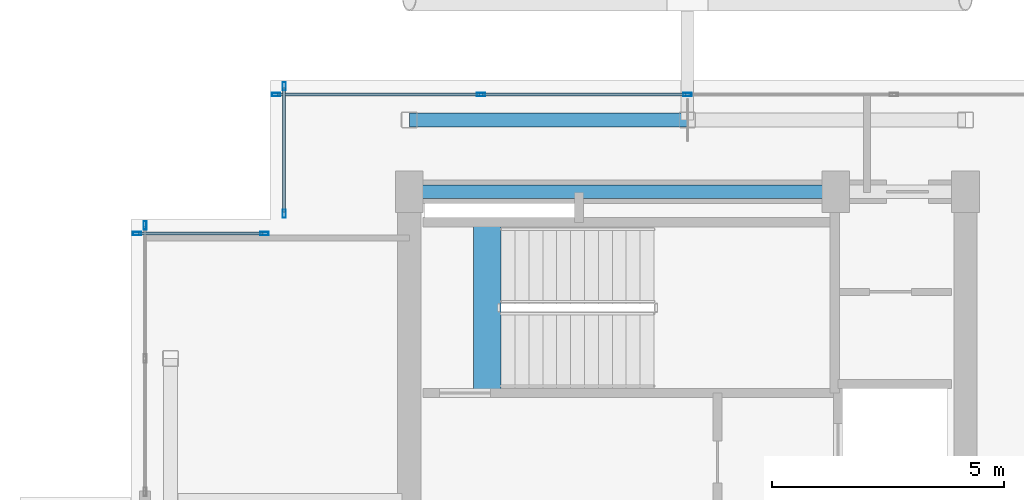
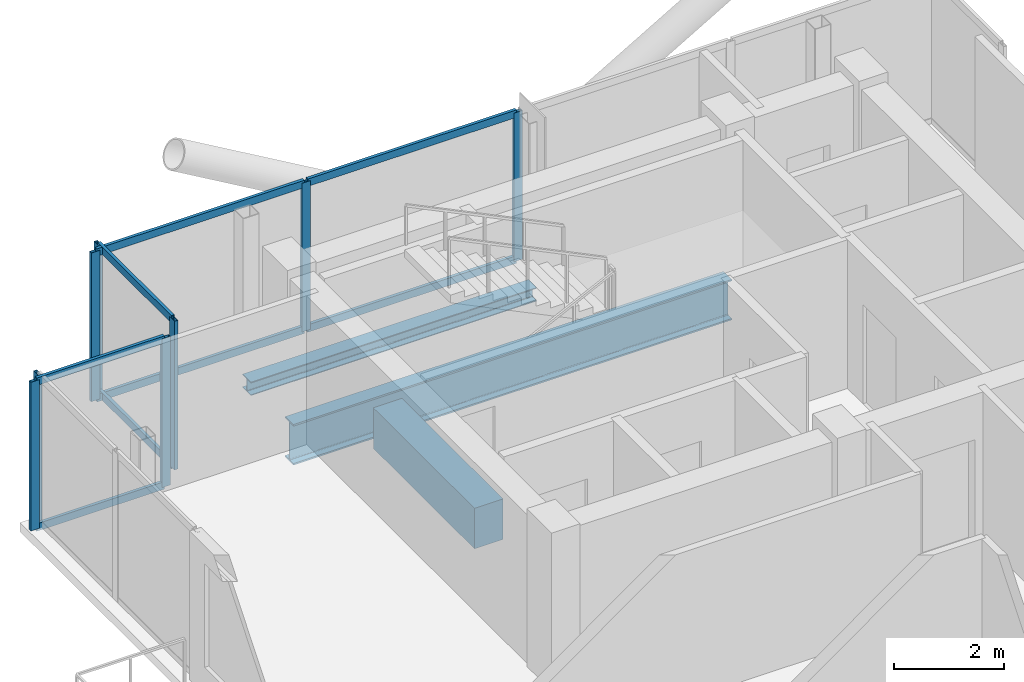
# One storey, part 8 of 18: 16 members, 3 beams, 4 elements without a shape of their own.
"""IFC4 building model written with IfcOpenShell, lengths in metres."""

from ifc_helpers import new_model, si_unit, direction, frame, origin, origin_2d, place, context, subcontext, project, spatial, rectangle, hollow_rectangle, i_section, extrude, material, layer, layer_set, material_profile, profile_set, type_object, element, aggregate, save


model = new_model("IFC4")

# Units and contexts
model_context = context("Model", 3, precision=1e-05, world=origin(), true_north=direction((0.0, 1.0)))
body_context = subcontext(model_context, "Body", "Model", "MODEL_VIEW")
ifc_project = project(units=[si_unit("LENGTHUNIT", "METRE"), si_unit("AREAUNIT", "SQUARE_METRE"), si_unit("VOLUMEUNIT", "CUBIC_METRE"), si_unit("PLANEANGLEUNIT", "RADIAN"), si_unit("MASSUNIT", "GRAM", prefix="KILO"), si_unit("THERMODYNAMICTEMPERATUREUNIT", "KELVIN"), si_unit("POWERUNIT", "WATT")], contexts=[model_context])

# Site, building, storey
site_placement = place(None, origin())
site = spatial("IfcSite", under=ifc_project, at=site_placement, CompositionType="ELEMENT")
building_placement = place(site_placement, origin())
building = spatial("IfcBuilding", under=site, at=building_placement, Name="Svarakhadi Broadcast Tower", CompositionType="ELEMENT")
storey_placement = place(building_placement, frame((0.0, 0.0, 267.699951171875)))
storey = spatial("IfcBuildingStorey", under=building, at=storey_placement, Name="L67", CompositionType="ELEMENT", Elevation=267.699951171875)

# Curtain wall, member
ifc_material_1 = material(Name="Anodised Bronze Aluminium AA 6063-T6", Category="aluminium")
ifc_layer = layer(ifc_material_1, 0.179931640625)
ifc_layer_set = layer_set([ifc_layer], Name="Anodised Bronze Aluminium AA 6063-T6")
curtain_wall_type = type_object("IfcCurtainWallType", Name="CW_Sys_05", PredefinedType="NOTDEFINED", material=ifc_layer_set)
curtain_wall_1_placement = place(storey_placement, origin())
curtain_wall_1 = element("IfcCurtainWall", 1, at=curtain_wall_1_placement, inside=storey, type_object=curtain_wall_type, Name="L67 West Curtain Wall 03", PredefinedType="NOTDEFINED")
ifc_material_profile_1 = material_profile(ifc_material_1, hollow_rectangle(XDim=0.070068359375, YDim=0.179931640625, WallThickness=0.005615234375, at=origin_2d()), Name="ALU MULLION 180x70x6")
ifc_profile_set_1 = profile_set([ifc_material_profile_1], Name="Anodised Bronze Aluminium AA 6063-T6")
member_type_1 = type_object("IfcMemberType", Name="CW_Sys_05_Mul", PredefinedType="MULLION", material=ifc_profile_set_1)
member_1_placement = place(storey_placement, frame((0.300048828125, 26.875, 0.0), z_axis=(0.0, 0.0, 1.0), x_axis=(-1.0, 0.0, 0.0)))
member_1 = element("IfcMember", 2, at=member_1_placement, type_object=member_type_1, Name="CW-05 mullion 3", PredefinedType="MULLION", context=body_context, shape_type="SweptSolid", body=[
    extrude(hollow_rectangle(XDim=0.070068359375, YDim=0.179931640625, WallThickness=0.005615234375, at=origin_2d()), origin(), (0.0, 0.0, 1.0), 3.300048828125),
])
aggregate(curtain_wall_1, [member_1])

# Curtain wall, members
curtain_wall_2_placement = place(storey_placement, origin())
curtain_wall_2 = element("IfcCurtainWall", 3, at=curtain_wall_2_placement, inside=storey, type_object=curtain_wall_type, Name="L67 Unitised Facade Curtain Wall 04", PredefinedType="NOTDEFINED")
member_2_placement = place(storey_placement, frame((0.125, 26.699951171875, 0.0), z_axis=(0.0, 0.0, 1.0), x_axis=(0.0, 1.0, 0.0)))
member_2 = element("IfcMember", 4, at=member_2_placement, type_object=member_type_1, Name="CW-05 mullion 1", PredefinedType="MULLION", context=body_context, shape_type="SweptSolid", body=[
    extrude(hollow_rectangle(XDim=0.070068359375, YDim=0.179931640625, WallThickness=0.005615234375, at=origin_2d()), origin(), (0.0, 0.0, 1.0), 3.300048828125),
])
member_3_placement = place(storey_placement, frame((2.875, 26.699951171875, 0.0), z_axis=(0.0, 0.0, 1.0), x_axis=(0.0, 1.0, 0.0)))
member_3 = element("IfcMember", 5, at=member_3_placement, type_object=member_type_1, Name="CW-05 mullion 2", PredefinedType="MULLION", context=body_context, shape_type="SweptSolid", body=[
    extrude(hollow_rectangle(XDim=0.070068359375, YDim=0.179931640625, WallThickness=0.005615234375, at=origin_2d()), origin(), (0.0, 0.0, 1.0), 3.300048828125),
])

curtain_wall_3_placement = place(storey_placement, origin())
curtain_wall_3 = element("IfcCurtainWall", 6, at=curtain_wall_3_placement, inside=storey, type_object=curtain_wall_type, Name="L67 Unitised Facade Curtain Wall 05", PredefinedType="NOTDEFINED")
member_4_placement = place(storey_placement, frame((3.300048828125, 27.125, 0.0), z_axis=(0.0, 0.0, 1.0), x_axis=(-1.0, 0.0, 0.0)))
member_4 = element("IfcMember", 7, at=member_4_placement, type_object=member_type_1, Name="CW-05 mullion 1", PredefinedType="MULLION", context=body_context, shape_type="SweptSolid", body=[
    extrude(hollow_rectangle(XDim=0.070068359375, YDim=0.179931640625, WallThickness=0.005615234375, at=origin_2d()), origin(), (0.0, 0.0, 1.0), 3.300048828125),
])
member_5_placement = place(storey_placement, frame((3.300048828125, 29.875, 0.0), z_axis=(0.0, 0.0, 1.0), x_axis=(-1.0, 0.0, 0.0)))
member_5 = element("IfcMember", 8, at=member_5_placement, type_object=member_type_1, Name="CW-05 mullion 2", PredefinedType="MULLION", context=body_context, shape_type="SweptSolid", body=[
    extrude(hollow_rectangle(XDim=0.070068359375, YDim=0.179931640625, WallThickness=0.005615234375, at=origin_2d()), origin(), (0.0, 0.0, 1.0), 3.300048828125),
])

curtain_wall_4_placement = place(storey_placement, origin())
curtain_wall_4 = element("IfcCurtainWall", 9, at=curtain_wall_4_placement, inside=storey, type_object=curtain_wall_type, Name="L67 Unitised Facade Curtain Wall 06", PredefinedType="NOTDEFINED")
member_6_placement = place(storey_placement, frame((3.125, 29.699951171875, 0.0), z_axis=(0.0, 0.0, 1.0), x_axis=(0.0, 1.0, 0.0)))
member_6 = element("IfcMember", 10, at=member_6_placement, type_object=member_type_1, Name="CW-05 mullion 1", PredefinedType="MULLION", context=body_context, shape_type="SweptSolid", body=[
    extrude(hollow_rectangle(XDim=0.070068359375, YDim=0.179931640625, WallThickness=0.005615234375, at=origin_2d()), origin(), (0.0, 0.0, 1.0), 3.300048828125),
])
member_7_placement = place(storey_placement, frame((7.544921875, 29.699951171875, 0.0), z_axis=(0.0, 0.0, 1.0), x_axis=(0.0, 1.0, 0.0)))
member_7 = element("IfcMember", 11, at=member_7_placement, type_object=member_type_1, Name="CW-05 mullion 2", PredefinedType="MULLION", context=body_context, shape_type="SweptSolid", body=[
    extrude(hollow_rectangle(XDim=0.070068359375, YDim=0.179931640625, WallThickness=0.005615234375, at=origin_2d()), origin(), (0.0, 0.0, 1.0), 3.300048828125),
])
member_8_placement = place(storey_placement, frame((12.0, 29.699951171875, 0.0), z_axis=(0.0, 0.0, 1.0), x_axis=(0.0, 1.0, 0.0)))
member_8 = element("IfcMember", 12, at=member_8_placement, type_object=member_type_1, Name="CW-05 mullion 3", PredefinedType="MULLION", context=body_context, shape_type="SweptSolid", body=[
    extrude(hollow_rectangle(XDim=0.070068359375, YDim=0.179931640625, WallThickness=0.005615234375, at=origin_2d()), origin(), (0.0, 0.0, 1.0), 3.300048828125),
])

# Member
ifc_material_profile_2 = material_profile(ifc_material_1, hollow_rectangle(XDim=0.06494140625, YDim=0.1650390625, WallThickness=0.0048828125, at=origin_2d()), Name="ALU TRANSOM 165x65x5")
ifc_profile_set_2 = profile_set([ifc_material_profile_2], Name="Anodised Bronze Aluminium AA 6063-T6")
member_type_2 = type_object("IfcMemberType", Name="CW_Sys_05_Trn", PredefinedType="USERDEFINED", material=ifc_profile_set_2)
member_9_placement = place(storey_placement, frame((0.159912109375, 26.699951171875, 0.032470703125), z_axis=(1.0, 0.0, 0.0), x_axis=(0.0, 1.0, 0.0)))
member_9 = element("IfcMember", 13, at=member_9_placement, type_object=member_type_2, Name="CW-05 transom 1.1", ObjectType="TRANSOM", PredefinedType="USERDEFINED", context=body_context, shape_type="SweptSolid", body=[
    extrude(hollow_rectangle(XDim=0.06494140625, YDim=0.1650390625, WallThickness=0.0048828125, at=origin_2d()), origin(), (0.0, 0.0, 1.0), 2.68017578125),
])

member_10_placement = place(storey_placement, frame((0.159912109375, 26.699951171875, 3.267578125), z_axis=(1.0, 0.0, 0.0), x_axis=(0.0, 1.0, 0.0)))
member_10 = element("IfcMember", 14, at=member_10_placement, type_object=member_type_2, Name="CW-05 transom 1.2", ObjectType="TRANSOM", PredefinedType="USERDEFINED", context=body_context, shape_type="SweptSolid", body=[
    extrude(hollow_rectangle(XDim=0.06494140625, YDim=0.1650390625, WallThickness=0.0048828125, at=origin_2d()), origin(), (0.0, 0.0, 1.0), 2.68017578125),
])

aggregate(curtain_wall_2, [member_2, member_3, member_9, member_10])

member_11_placement = place(storey_placement, frame((3.300048828125, 27.159912109375, 0.032470703125), z_axis=(0.0, 1.0, 0.0), x_axis=(-1.0, 0.0, 0.0)))
member_11 = element("IfcMember", 15, at=member_11_placement, type_object=member_type_2, Name="CW-05 transom 1.1", ObjectType="TRANSOM", PredefinedType="USERDEFINED", context=body_context, shape_type="SweptSolid", body=[
    extrude(hollow_rectangle(XDim=0.06494140625, YDim=0.1650390625, WallThickness=0.0048828125, at=origin_2d()), origin(), (0.0, 0.0, 1.0), 2.68017578125),
])

member_12_placement = place(storey_placement, frame((3.300048828125, 27.159912109375, 3.267578125), z_axis=(0.0, 1.0, 0.0), x_axis=(-1.0, 0.0, 0.0)))
member_12 = element("IfcMember", 16, at=member_12_placement, type_object=member_type_2, Name="CW-05 transom 1.2", ObjectType="TRANSOM", PredefinedType="USERDEFINED", context=body_context, shape_type="SweptSolid", body=[
    extrude(hollow_rectangle(XDim=0.06494140625, YDim=0.1650390625, WallThickness=0.0048828125, at=origin_2d()), origin(), (0.0, 0.0, 1.0), 2.68017578125),
])

aggregate(curtain_wall_3, [member_4, member_5, member_11, member_12])

member_13_placement = place(storey_placement, frame((3.159912109375, 29.699951171875, 0.032470703125), z_axis=(1.0, 0.0, 0.0), x_axis=(0.0, 1.0, 0.0)))
member_13 = element("IfcMember", 17, at=member_13_placement, type_object=member_type_2, Name="CW-05 transom 1.1", ObjectType="TRANSOM", PredefinedType="USERDEFINED", context=body_context, shape_type="SweptSolid", body=[
    extrude(hollow_rectangle(XDim=0.06494140625, YDim=0.1650390625, WallThickness=0.0048828125, at=origin_2d()), origin(), (0.0, 0.0, 1.0), 4.35009765625),
])

member_14_placement = place(storey_placement, frame((3.159912109375, 29.699951171875, 3.267578125), z_axis=(1.0, 0.0, 0.0), x_axis=(0.0, 1.0, 0.0)))
member_14 = element("IfcMember", 18, at=member_14_placement, type_object=member_type_2, Name="CW-05 transom 1.2", ObjectType="TRANSOM", PredefinedType="USERDEFINED", context=body_context, shape_type="SweptSolid", body=[
    extrude(hollow_rectangle(XDim=0.06494140625, YDim=0.1650390625, WallThickness=0.0048828125, at=origin_2d()), origin(), (0.0, 0.0, 1.0), 4.35009765625),
])

member_15_placement = place(storey_placement, frame((7.580078125, 29.699951171875, 0.032470703125), z_axis=(1.0, 0.0, 0.0), x_axis=(0.0, 1.0, 0.0)))
member_15 = element("IfcMember", 19, at=member_15_placement, type_object=member_type_2, Name="CW-05 transom 2.1", ObjectType="TRANSOM", PredefinedType="USERDEFINED", context=body_context, shape_type="SweptSolid", body=[
    extrude(hollow_rectangle(XDim=0.06494140625, YDim=0.1650390625, WallThickness=0.0048828125, at=origin_2d()), origin(), (0.0, 0.0, 1.0), 4.385009765625),
])

member_16_placement = place(storey_placement, frame((7.580078125, 29.699951171875, 3.267578125), z_axis=(1.0, 0.0, 0.0), x_axis=(0.0, 1.0, 0.0)))
member_16 = element("IfcMember", 20, at=member_16_placement, type_object=member_type_2, Name="CW-05 transom 2.2", ObjectType="TRANSOM", PredefinedType="USERDEFINED", context=body_context, shape_type="SweptSolid", body=[
    extrude(hollow_rectangle(XDim=0.06494140625, YDim=0.1650390625, WallThickness=0.0048828125, at=origin_2d()), origin(), (0.0, 0.0, 1.0), 4.385009765625),
])

aggregate(curtain_wall_4, [member_6, member_7, member_8, member_13, member_14, member_15, member_16])

# Beams
ifc_material_2 = material(Name="Concrete C50/60 (IS 456 M60)", Category="concrete")
ifc_material_profile_3 = material_profile(ifc_material_2, rectangle(XDim=0.60009765625, YDim=0.89990234375, at=origin_2d()), Name="RC 600x900")
ifc_profile_set_3 = profile_set([ifc_material_profile_3], Name="Concrete C50/60 (IS 456 M60)")
beam_type_1 = type_object("IfcBeamType", Name="Coupling_RC600", PredefinedType="USERDEFINED", material=ifc_profile_set_3)
beam_1_placement = place(storey_placement, frame((7.679931640625, 23.260009765625, -0.449951171875), z_axis=(0.0, 1.0, 0.0), x_axis=(-1.0, 0.0, 0.0)))
element("IfcBeam", 21, at=beam_1_placement, inside=storey, type_object=beam_type_1, Name="L67 Stair ST-01 Landing Throat Trimmer Beam CB-01", ObjectType="GIRDER", PredefinedType="USERDEFINED", context=body_context, shape_type="SweptSolid", body=[
    extrude(rectangle(XDim=0.60009765625, YDim=0.89990234375, at=origin_2d()), origin(), (0.0, 0.0, 1.0), 3.679931640625),
])
ifc_material_3 = material(Name="Steel S355J2 (IS 2062 E350C)", Category="steel")
ifc_material_profile_4 = material_profile(ifc_material_3, i_section(OverallWidth=0.300048828125, OverallDepth=0.300048828125, WebThickness=0.010986328125, FlangeThickness=0.01904296875, FilletRadius=0.027099609375, at=origin_2d()), Name="WPB 300x300x117")
ifc_profile_set_4 = profile_set([ifc_material_profile_4], Name="Steel S355J2 (IS 2062 E350C)")
beam_type_2 = type_object("IfcBeamType", Name="Girder_WPB300", PredefinedType="USERDEFINED", material=ifc_profile_set_4)
beam_2_placement = place(storey_placement, frame((6.0, 29.14990234375, -0.349853515625), z_axis=(1.0, 0.0, 0.0), x_axis=(0.0, 1.0, 0.0)))
element("IfcBeam", 22, at=beam_2_placement, inside=storey, type_object=beam_type_2, Name="L67 Primary E-W Girder G024", ObjectType="GIRDER", PredefinedType="USERDEFINED", context=body_context, shape_type="SweptSolid", body=[
    extrude(i_section(OverallWidth=0.300048828125, OverallDepth=0.300048828125, WebThickness=0.010986328125, FlangeThickness=0.01904296875, FilletRadius=0.027099609375, at=origin_2d()), origin(), (0.0, 0.0, 1.0), 6.0),
])
ifc_material_4 = material(Name="Steel S460ML (IS 2062 E450BR)", Category="steel")
ifc_material_profile_5 = material_profile(ifc_material_4, i_section(OverallWidth=0.300048828125, OverallDepth=0.89990234375, WebThickness=0.0185546875, FlangeThickness=0.034912109375, FilletRadius=0.030029296875, at=origin_2d()), Name="WPB 900x300x291")
ifc_profile_set_5 = profile_set([ifc_material_profile_5], Name="Steel S460ML (IS 2062 E450BR)")
beam_type_3 = type_object("IfcBeamType", Name="Girder_WPB900", PredefinedType="USERDEFINED", material=ifc_profile_set_5)
beam_3_placement = place(storey_placement, frame((6.0, 27.60009765625, -0.64990234375), z_axis=(1.0, 0.0, 0.0), x_axis=(0.0, 1.0, 0.0)))
element("IfcBeam", 23, at=beam_3_placement, inside=storey, type_object=beam_type_3, Name="L67 Primary E-W Girder G022", ObjectType="GIRDER", PredefinedType="USERDEFINED", context=body_context, shape_type="SweptSolid", body=[
    extrude(i_section(OverallWidth=0.300048828125, OverallDepth=0.89990234375, WebThickness=0.0185546875, FlangeThickness=0.034912109375, FilletRadius=0.030029296875, at=origin_2d()), origin(), (0.0, 0.0, 1.0), 9.199951171875),
])

save(model, "model.ifc")
